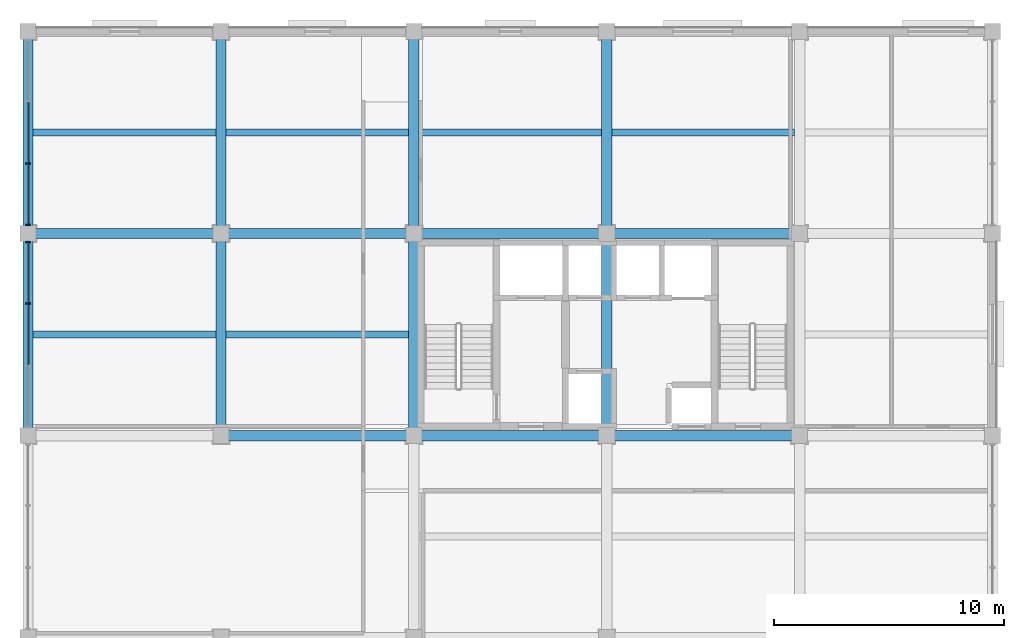
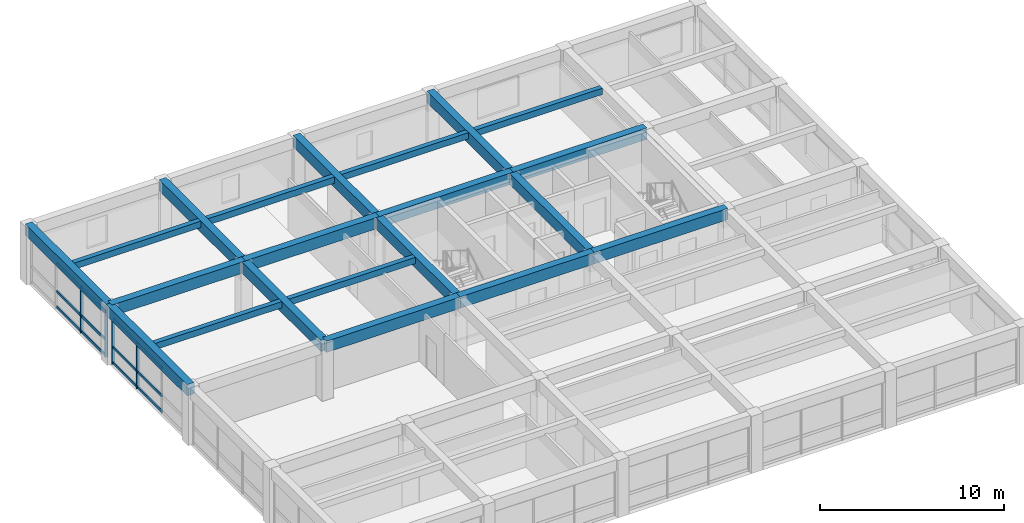
# One storey, part 4 of 13: 21 beams, 16 members, 2 elements without a shape of their own.
"""IFC4 building model written with IfcOpenShell, lengths in metres."""

from ifc_helpers import new_model, si_unit, direction, frame, origin, origin_2d, place, context, subcontext, project, spatial, rectangle, extrude, material, material_profile, profile_set, type_object, element, aggregate, save


model = new_model("IFC4")

# Units and contexts
model_context = context("Model", 3, precision=1e-05, world=origin(), true_north=direction((0.0, 1.0)))
body_context = subcontext(model_context, "Body", "Model", "MODEL_VIEW")
ifc_project = project(units=[si_unit("LENGTHUNIT", "METRE"), si_unit("AREAUNIT", "SQUARE_METRE"), si_unit("VOLUMEUNIT", "CUBIC_METRE"), si_unit("PLANEANGLEUNIT", "RADIAN"), si_unit("MASSUNIT", "GRAM", prefix="KILO")], contexts=[model_context])

# Site, building, storey
site_placement = place(None, origin())
site = spatial("IfcSite", under=ifc_project, at=site_placement, CompositionType="ELEMENT")
building_placement = place(site_placement, origin())
building = spatial("IfcBuilding", under=site, at=building_placement, Name="Kemercrest Conservatory and Botanical Centre", CompositionType="ELEMENT")
storey_placement = place(building_placement, frame((0.0, 0.0, 36.800048828125)))
storey = spatial("IfcBuildingStorey", under=building, at=storey_placement, Name="L09", CompositionType="ELEMENT", Elevation=36.800048828125)

# Beams
ifc_material_1 = material(Name="Concrete C40/50", Category="concrete")
ifc_material_profile_1 = material_profile(ifc_material_1, rectangle(XDim=0.449951171875, YDim=0.75, at=origin_2d()), Name="RC 450x750")
ifc_profile_set_1 = profile_set([ifc_material_profile_1], Name="Concrete C40/50")
beam_type_1 = type_object("IfcBeamType", Name="BM-RC75", PredefinedType="BEAM", material=ifc_profile_set_1)
beam_1_placement = place(storey_placement, frame((142.39990234375, 104.800048828125, 3.425048828125), z_axis=(1.0, 0.0, 0.0), x_axis=(0.0, 1.0, 0.0)))
element("IfcBeam", 1, at=beam_1_placement, inside=storey, type_object=beam_type_1, Name="V4-L10 beam BM-RC75 M/17-18", PredefinedType="BEAM", context=body_context, shape_type="SweptSolid", body=[
    extrude(rectangle(XDim=0.449951171875, YDim=0.75, at=origin_2d()), origin(), (0.0, 0.0, 1.0), 8.400146484375),
])
beam_2_placement = place(storey_placement, frame((150.800048828125, 104.800048828125, 3.425048828125), z_axis=(1.0, 0.0, 0.0), x_axis=(0.0, 1.0, 0.0)))
element("IfcBeam", 2, at=beam_2_placement, inside=storey, type_object=beam_type_1, Name="V4-L10 beam BM-RC75 M/18-19", PredefinedType="BEAM", context=body_context, shape_type="SweptSolid", body=[
    extrude(rectangle(XDim=0.449951171875, YDim=0.75, at=origin_2d()), origin(), (0.0, 0.0, 1.0), 8.39990234375),
])
beam_3_placement = place(storey_placement, frame((159.199951171875, 104.800048828125, 3.425048828125), z_axis=(1.0, 0.0, 0.0), x_axis=(0.0, 1.0, 0.0)))
element("IfcBeam", 3, at=beam_3_placement, inside=storey, type_object=beam_type_1, Name="V4-L10 beam BM-RC75 M/19-20", PredefinedType="BEAM", context=body_context, shape_type="SweptSolid", body=[
    extrude(rectangle(XDim=0.449951171875, YDim=0.75, at=origin_2d()), origin(), (0.0, 0.0, 1.0), 8.400146484375),
])
beam_4_placement = place(storey_placement, frame((134.0, 113.60009765625, 3.425048828125), z_axis=(1.0, 0.0, 0.0), x_axis=(0.0, 1.0, 0.0)))
element("IfcBeam", 4, at=beam_4_placement, inside=storey, type_object=beam_type_1, Name="V4-L10 beam BM-RC75 N/16-17", PredefinedType="BEAM", context=body_context, shape_type="SweptSolid", body=[
    extrude(rectangle(XDim=0.449951171875, YDim=0.75, at=origin_2d()), origin(), (0.0, 0.0, 1.0), 8.39990234375),
])
beam_5_placement = place(storey_placement, frame((142.39990234375, 113.60009765625, 3.425048828125), z_axis=(1.0, 0.0, 0.0), x_axis=(0.0, 1.0, 0.0)))
element("IfcBeam", 5, at=beam_5_placement, inside=storey, type_object=beam_type_1, Name="V4-L10 beam BM-RC75 N/17-18", PredefinedType="BEAM", context=body_context, shape_type="SweptSolid", body=[
    extrude(rectangle(XDim=0.449951171875, YDim=0.75, at=origin_2d()), origin(), (0.0, 0.0, 1.0), 8.400146484375),
])
beam_6_placement = place(storey_placement, frame((150.800048828125, 113.60009765625, 3.425048828125), z_axis=(1.0, 0.0, 0.0), x_axis=(0.0, 1.0, 0.0)))
element("IfcBeam", 6, at=beam_6_placement, inside=storey, type_object=beam_type_1, Name="V4-L10 beam BM-RC75 N/18-19", PredefinedType="BEAM", context=body_context, shape_type="SweptSolid", body=[
    extrude(rectangle(XDim=0.449951171875, YDim=0.75, at=origin_2d()), origin(), (0.0, 0.0, 1.0), 8.39990234375),
])
beam_7_placement = place(storey_placement, frame((159.199951171875, 113.60009765625, 3.425048828125), z_axis=(1.0, 0.0, 0.0), x_axis=(0.0, 1.0, 0.0)))
element("IfcBeam", 7, at=beam_7_placement, inside=storey, type_object=beam_type_1, Name="V4-L10 beam BM-RC75 N/19-20", PredefinedType="BEAM", context=body_context, shape_type="SweptSolid", body=[
    extrude(rectangle(XDim=0.449951171875, YDim=0.75, at=origin_2d()), origin(), (0.0, 0.0, 1.0), 8.400146484375),
])
beam_8_placement = place(storey_placement, frame((142.39990234375, 104.800048828125, 3.425048828125), z_axis=(0.0, 1.0, 0.0), x_axis=(-1.0, 0.0, 0.0)))
element("IfcBeam", 8, at=beam_8_placement, inside=storey, type_object=beam_type_1, Name="V4-L10 beam BM-RC75 17/M-N", PredefinedType="BEAM", context=body_context, shape_type="SweptSolid", body=[
    extrude(rectangle(XDim=0.449951171875, YDim=0.75, at=origin_2d()), origin(), (0.0, 0.0, 1.0), 8.800048828125),
])
beam_9_placement = place(storey_placement, frame((142.39990234375, 113.60009765625, 3.425048828125), z_axis=(0.0, 1.0, 0.0), x_axis=(-1.0, 0.0, 0.0)))
element("IfcBeam", 9, at=beam_9_placement, inside=storey, type_object=beam_type_1, Name="V4-L10 beam BM-RC75 17/N-P", PredefinedType="BEAM", context=body_context, shape_type="SweptSolid", body=[
    extrude(rectangle(XDim=0.449951171875, YDim=0.75, at=origin_2d()), origin(), (0.0, 0.0, 1.0), 8.7998046875),
])
beam_10_placement = place(storey_placement, frame((150.800048828125, 104.800048828125, 3.425048828125), z_axis=(0.0, 1.0, 0.0), x_axis=(-1.0, 0.0, 0.0)))
element("IfcBeam", 10, at=beam_10_placement, inside=storey, type_object=beam_type_1, Name="V4-L10 beam BM-RC75 18/M-N", PredefinedType="BEAM", context=body_context, shape_type="SweptSolid", body=[
    extrude(rectangle(XDim=0.449951171875, YDim=0.75, at=origin_2d()), origin(), (0.0, 0.0, 1.0), 8.800048828125),
])
beam_11_placement = place(storey_placement, frame((150.800048828125, 113.60009765625, 3.425048828125), z_axis=(0.0, 1.0, 0.0), x_axis=(-1.0, 0.0, 0.0)))
element("IfcBeam", 11, at=beam_11_placement, inside=storey, type_object=beam_type_1, Name="V4-L10 beam BM-RC75 18/N-P", PredefinedType="BEAM", context=body_context, shape_type="SweptSolid", body=[
    extrude(rectangle(XDim=0.449951171875, YDim=0.75, at=origin_2d()), origin(), (0.0, 0.0, 1.0), 8.7998046875),
])
beam_12_placement = place(storey_placement, frame((159.199951171875, 104.800048828125, 3.425048828125), z_axis=(0.0, 1.0, 0.0), x_axis=(-1.0, 0.0, 0.0)))
element("IfcBeam", 12, at=beam_12_placement, inside=storey, type_object=beam_type_1, Name="V4-L10 beam BM-RC75 19/M-N", PredefinedType="BEAM", context=body_context, shape_type="SweptSolid", body=[
    extrude(rectangle(XDim=0.449951171875, YDim=0.75, at=origin_2d()), origin(), (0.0, 0.0, 1.0), 8.800048828125),
])
beam_13_placement = place(storey_placement, frame((159.199951171875, 113.60009765625, 3.425048828125), z_axis=(0.0, 1.0, 0.0), x_axis=(-1.0, 0.0, 0.0)))
element("IfcBeam", 13, at=beam_13_placement, inside=storey, type_object=beam_type_1, Name="V4-L10 beam BM-RC75 19/N-P", PredefinedType="BEAM", context=body_context, shape_type="SweptSolid", body=[
    extrude(rectangle(XDim=0.449951171875, YDim=0.75, at=origin_2d()), origin(), (0.0, 0.0, 1.0), 8.7998046875),
])

# Curtain wall, members
ifc_material_2 = material(Name="Thermally broken aluminium and triple low-e glazing", Category="aluminium")
curtain_wall_type_1 = type_object("IfcCurtainWallType", Name="CW-18", PredefinedType="USERDEFINED", material=ifc_material_2)
curtain_wall_1_placement = place(storey_placement, origin())
curtain_wall_1 = element("IfcCurtainWall", 14, at=curtain_wall_1_placement, inside=storey, type_object=curtain_wall_type_1, Name="Unitised curtain wall CW-18 (CW:L09:V4-107)", ObjectType="UNITISED CURTAIN WALL", PredefinedType="USERDEFINED")
ifc_material_3 = material(Name="Thermally broken anodized aluminium 6063-T6", Category="aluminium")
ifc_material_profile_2 = material_profile(ifc_material_3, rectangle(XDim=0.199951171875, YDim=0.06494140625, at=origin_2d()), Name="AL MULLION 65x200")
ifc_profile_set_2 = profile_set([ifc_material_profile_2], Name="Thermally broken anodized aluminium 6063-T6")
member_type_1 = type_object("IfcMemberType", Name="CW-M200", PredefinedType="MULLION", material=ifc_profile_set_2)
member_1_placement = place(storey_placement, frame((134.0, 116.6484375, 0.0), z_axis=(0.0, 0.0, 1.0), x_axis=(1.0, 0.0, 0.0)))
member_1 = element("IfcMember", 15, at=member_1_placement, type_object=member_type_1, Name="CW-18 mullion 3", PredefinedType="MULLION", context=body_context, shape_type="SweptSolid", body=[
    extrude(rectangle(XDim=0.199951171875, YDim=0.06494140625, at=origin_2d()), origin(), (0.0, 0.0, 1.0), 3.054931640625),
])
member_2_placement = place(storey_placement, frame((134.0, 113.9775390625, 0.0), z_axis=(0.0, 0.0, 1.0), x_axis=(1.0, 0.0, 0.0)))
member_2 = element("IfcMember", 16, at=member_2_placement, type_object=member_type_1, Name="CW-18 mullion 4", PredefinedType="MULLION", context=body_context, shape_type="SweptSolid", body=[
    extrude(rectangle(XDim=0.199951171875, YDim=0.06494140625, at=origin_2d()), origin(), (0.0, 0.0, 1.0), 3.054931640625),
])

curtain_wall_type_2 = type_object("IfcCurtainWallType", Name="CW-19", PredefinedType="USERDEFINED", material=ifc_material_2)
curtain_wall_2_placement = place(storey_placement, origin())
curtain_wall_2 = element("IfcCurtainWall", 17, at=curtain_wall_2_placement, inside=storey, type_object=curtain_wall_type_2, Name="Unitised curtain wall CW-19 (CW:L09:V4-108)", ObjectType="UNITISED CURTAIN WALL", PredefinedType="USERDEFINED")
member_3_placement = place(storey_placement, frame((134.0, 113.222412109375, 0.0), z_axis=(0.0, 0.0, 1.0), x_axis=(1.0, 0.0, 0.0)))
member_3 = element("IfcMember", 18, at=member_3_placement, type_object=member_type_1, Name="CW-19 mullion 1", PredefinedType="MULLION", context=body_context, shape_type="SweptSolid", body=[
    extrude(rectangle(XDim=0.199951171875, YDim=0.06494140625, at=origin_2d()), origin(), (0.0, 0.0, 1.0), 3.054931640625),
])
member_4_placement = place(storey_placement, frame((134.0, 110.5517578125, 0.0), z_axis=(0.0, 0.0, 1.0), x_axis=(1.0, 0.0, 0.0)))
member_4 = element("IfcMember", 19, at=member_4_placement, type_object=member_type_1, Name="CW-19 mullion 2", PredefinedType="MULLION", context=body_context, shape_type="SweptSolid", body=[
    extrude(rectangle(XDim=0.199951171875, YDim=0.06494140625, at=origin_2d()), origin(), (0.0, 0.0, 1.0), 3.054931640625),
])

# Member
ifc_material_profile_3 = material_profile(ifc_material_3, rectangle(XDim=0.074951171875, YDim=0.179931640625, at=origin_2d()), Name="AL TRANSOM 75x180")
ifc_profile_set_3 = profile_set([ifc_material_profile_3], Name="Thermally broken anodized aluminium 6063-T6")
member_type_2 = type_object("IfcMemberType", Name="CW-T180", PredefinedType="USERDEFINED", material=ifc_profile_set_3)
member_5_placement = place(storey_placement, frame((134.0, 119.319091796875, 0.08984375), z_axis=(0.0, -1.0, 0.0), x_axis=(1.0, 0.0, 0.0)))
member_5 = element("IfcMember", 20, at=member_5_placement, type_object=member_type_2, Name="CW-18 transom 2.1", ObjectType="TRANSOM", PredefinedType="USERDEFINED", context=body_context, shape_type="SweptSolid", body=[
    extrude(rectangle(XDim=0.074951171875, YDim=0.179931640625, at=origin_2d()), origin(), (0.0, 0.0, 1.0), 2.63818359375),
])

member_6_placement = place(storey_placement, frame((134.0, 119.319091796875, 1.119873046875), z_axis=(0.0, -1.0, 0.0), x_axis=(1.0, 0.0, 0.0)))
member_6 = element("IfcMember", 21, at=member_6_placement, type_object=member_type_2, Name="CW-18 transom 2.2", ObjectType="TRANSOM", PredefinedType="USERDEFINED", context=body_context, shape_type="SweptSolid", body=[
    extrude(rectangle(XDim=0.074951171875, YDim=0.179931640625, at=origin_2d()), origin(), (0.0, 0.0, 1.0), 2.63818359375),
])

member_7_placement = place(storey_placement, frame((134.0, 119.319091796875, 2.96484375), z_axis=(0.0, -1.0, 0.0), x_axis=(1.0, 0.0, 0.0)))
member_7 = element("IfcMember", 22, at=member_7_placement, type_object=member_type_2, Name="CW-18 transom 2.3", ObjectType="TRANSOM", PredefinedType="USERDEFINED", context=body_context, shape_type="SweptSolid", body=[
    extrude(rectangle(XDim=0.074951171875, YDim=0.179931640625, at=origin_2d()), origin(), (0.0, 0.0, 1.0), 2.63818359375),
])

member_8_placement = place(storey_placement, frame((134.0, 116.61572265625, 0.08984375), z_axis=(0.0, -1.0, 0.0), x_axis=(1.0, 0.0, 0.0)))
member_8 = element("IfcMember", 23, at=member_8_placement, type_object=member_type_2, Name="CW-18 transom 3.1", ObjectType="TRANSOM", PredefinedType="USERDEFINED", context=body_context, shape_type="SweptSolid", body=[
    extrude(rectangle(XDim=0.074951171875, YDim=0.179931640625, at=origin_2d()), origin(), (0.0, 0.0, 1.0), 2.605712890625),
])

member_9_placement = place(storey_placement, frame((134.0, 116.61572265625, 1.119873046875), z_axis=(0.0, -1.0, 0.0), x_axis=(1.0, 0.0, 0.0)))
member_9 = element("IfcMember", 24, at=member_9_placement, type_object=member_type_2, Name="CW-18 transom 3.2", ObjectType="TRANSOM", PredefinedType="USERDEFINED", context=body_context, shape_type="SweptSolid", body=[
    extrude(rectangle(XDim=0.074951171875, YDim=0.179931640625, at=origin_2d()), origin(), (0.0, 0.0, 1.0), 2.605712890625),
])

member_10_placement = place(storey_placement, frame((134.0, 116.61572265625, 2.96484375), z_axis=(0.0, -1.0, 0.0), x_axis=(1.0, 0.0, 0.0)))
member_10 = element("IfcMember", 25, at=member_10_placement, type_object=member_type_2, Name="CW-18 transom 3.3", ObjectType="TRANSOM", PredefinedType="USERDEFINED", context=body_context, shape_type="SweptSolid", body=[
    extrude(rectangle(XDim=0.074951171875, YDim=0.179931640625, at=origin_2d()), origin(), (0.0, 0.0, 1.0), 2.605712890625),
])

aggregate(curtain_wall_1, [member_1, member_2, member_5, member_6, member_7, member_8, member_9, member_10])

member_11_placement = place(storey_placement, frame((134.0, 113.18994140625, 0.08984375), z_axis=(0.0, -1.0, 0.0), x_axis=(1.0, 0.0, 0.0)))
member_11 = element("IfcMember", 26, at=member_11_placement, type_object=member_type_2, Name="CW-19 transom 1.1", ObjectType="TRANSOM", PredefinedType="USERDEFINED", context=body_context, shape_type="SweptSolid", body=[
    extrude(rectangle(XDim=0.074951171875, YDim=0.179931640625, at=origin_2d()), origin(), (0.0, 0.0, 1.0), 2.605712890625),
])

member_12_placement = place(storey_placement, frame((134.0, 113.18994140625, 1.119873046875), z_axis=(0.0, -1.0, 0.0), x_axis=(1.0, 0.0, 0.0)))
member_12 = element("IfcMember", 27, at=member_12_placement, type_object=member_type_2, Name="CW-19 transom 1.2", ObjectType="TRANSOM", PredefinedType="USERDEFINED", context=body_context, shape_type="SweptSolid", body=[
    extrude(rectangle(XDim=0.074951171875, YDim=0.179931640625, at=origin_2d()), origin(), (0.0, 0.0, 1.0), 2.605712890625),
])

member_13_placement = place(storey_placement, frame((134.0, 113.18994140625, 2.96484375), z_axis=(0.0, -1.0, 0.0), x_axis=(1.0, 0.0, 0.0)))
member_13 = element("IfcMember", 28, at=member_13_placement, type_object=member_type_2, Name="CW-19 transom 1.3", ObjectType="TRANSOM", PredefinedType="USERDEFINED", context=body_context, shape_type="SweptSolid", body=[
    extrude(rectangle(XDim=0.074951171875, YDim=0.179931640625, at=origin_2d()), origin(), (0.0, 0.0, 1.0), 2.605712890625),
])

member_14_placement = place(storey_placement, frame((134.0, 110.519287109375, 0.08984375), z_axis=(0.0, -1.0, 0.0), x_axis=(1.0, 0.0, 0.0)))
member_14 = element("IfcMember", 29, at=member_14_placement, type_object=member_type_2, Name="CW-19 transom 2.1", ObjectType="TRANSOM", PredefinedType="USERDEFINED", context=body_context, shape_type="SweptSolid", body=[
    extrude(rectangle(XDim=0.074951171875, YDim=0.179931640625, at=origin_2d()), origin(), (0.0, 0.0, 1.0), 2.638427734375),
])

member_15_placement = place(storey_placement, frame((134.0, 110.519287109375, 1.119873046875), z_axis=(0.0, -1.0, 0.0), x_axis=(1.0, 0.0, 0.0)))
member_15 = element("IfcMember", 30, at=member_15_placement, type_object=member_type_2, Name="CW-19 transom 2.2", ObjectType="TRANSOM", PredefinedType="USERDEFINED", context=body_context, shape_type="SweptSolid", body=[
    extrude(rectangle(XDim=0.074951171875, YDim=0.179931640625, at=origin_2d()), origin(), (0.0, 0.0, 1.0), 2.638427734375),
])

member_16_placement = place(storey_placement, frame((134.0, 110.519287109375, 2.96484375), z_axis=(0.0, -1.0, 0.0), x_axis=(1.0, 0.0, 0.0)))
member_16 = element("IfcMember", 31, at=member_16_placement, type_object=member_type_2, Name="CW-19 transom 2.3", ObjectType="TRANSOM", PredefinedType="USERDEFINED", context=body_context, shape_type="SweptSolid", body=[
    extrude(rectangle(XDim=0.074951171875, YDim=0.179931640625, at=origin_2d()), origin(), (0.0, 0.0, 1.0), 2.638427734375),
])

aggregate(curtain_wall_2, [member_3, member_4, member_11, member_12, member_13, member_14, member_15, member_16])

# Beams
ifc_material_profile_4 = material_profile(ifc_material_1, rectangle(XDim=0.300048828125, YDim=0.419921875, at=origin_2d()), Name="RC 300x420")
ifc_profile_set_4 = profile_set([ifc_material_profile_4], Name="Concrete C40/50")
beam_type_2 = type_object("IfcBeamType", Name="JS-RC42", PredefinedType="JOIST", material=ifc_profile_set_4)
for number, where, z_axis, x_axis, name in (
    (32, (134.22509765625, 109.199951171875, 3.58984375), (1.0, 0.0, 0.0), (0.0, 1.0, 0.0), "V4-L10 secondary joist JS-RC42"),
    (33, (142.625, 109.199951171875, 3.58984375), (1.0, 0.0, 0.0), (0.0, 1.0, 0.0), "V4-L10 secondary joist JS-RC42"),
    (34, (134.22509765625, 118.0, 3.58984375), (1.0, 0.0, 0.0), (0.0, 1.0, 0.0), "V4-L10 secondary joist JS-RC42"),
    (35, (142.625, 118.0, 3.58984375), (1.0, 0.0, 0.0), (0.0, 1.0, 0.0), "V4-L10 secondary joist JS-RC42"),
):
    element("IfcBeam", number, at=place(storey_placement, frame(where, z_axis=z_axis, x_axis=x_axis)), inside=storey, type_object=beam_type_2, Name=name, PredefinedType="JOIST", context=body_context, shape_type="SweptSolid", body=[
        extrude(rectangle(XDim=0.300048828125, YDim=0.419921875, at=origin_2d()), origin(), (0.0, 0.0, 1.0), 7.949951171875),
    ])
beam_14_placement = place(storey_placement, frame((151.02490234375, 118.0, 3.58984375), z_axis=(1.0, 0.0, 0.0), x_axis=(0.0, 1.0, 0.0)))
element("IfcBeam", 36, at=beam_14_placement, inside=storey, type_object=beam_type_2, Name="V4-L10 secondary joist JS-RC42", PredefinedType="JOIST", context=body_context, shape_type="SweptSolid", body=[
    extrude(rectangle(XDim=0.300048828125, YDim=0.419921875, at=origin_2d()), origin(), (0.0, 0.0, 1.0), 7.9501953125),
])
beam_15_placement = place(storey_placement, frame((159.425048828125, 118.0, 3.58984375), z_axis=(1.0, 0.0, 0.0), x_axis=(0.0, 1.0, 0.0)))
element("IfcBeam", 37, at=beam_15_placement, inside=storey, type_object=beam_type_2, Name="V4-L10 secondary joist JS-RC42", PredefinedType="JOIST", context=body_context, shape_type="SweptSolid", body=[
    extrude(rectangle(XDim=0.300048828125, YDim=0.419921875, at=origin_2d()), origin(), (0.0, 0.0, 1.0), 7.949951171875),
])
ifc_material_profile_5 = material_profile(ifc_material_1, rectangle(XDim=0.449951171875, YDim=0.75, at=origin_2d()), Name="RC 450x750")
ifc_profile_set_5 = profile_set([ifc_material_profile_5], Name="Concrete C40/50")
beam_type_3 = type_object("IfcBeamType", Name="SP-RC75", PredefinedType="SPANDREL", material=ifc_profile_set_5)
beam_16_placement = place(storey_placement, frame((134.0, 104.800048828125, 3.425048828125), z_axis=(0.0, 1.0, 0.0), x_axis=(-1.0, 0.0, 0.0)))
element("IfcBeam", 38, at=beam_16_placement, inside=storey, type_object=beam_type_3, Name="V4-L10 beam SP-RC75 16/M-N", PredefinedType="SPANDREL", context=body_context, shape_type="SweptSolid", body=[
    extrude(rectangle(XDim=0.449951171875, YDim=0.75, at=origin_2d()), origin(), (0.0, 0.0, 1.0), 8.800048828125),
])
beam_17_placement = place(storey_placement, frame((134.0, 113.60009765625, 3.425048828125), z_axis=(0.0, 1.0, 0.0), x_axis=(-1.0, 0.0, 0.0)))
element("IfcBeam", 39, at=beam_17_placement, inside=storey, type_object=beam_type_3, Name="V4-L10 beam SP-RC75 16/N-P", PredefinedType="SPANDREL", context=body_context, shape_type="SweptSolid", body=[
    extrude(rectangle(XDim=0.449951171875, YDim=0.75, at=origin_2d()), origin(), (0.0, 0.0, 1.0), 8.7998046875),
])

save(model, "model.ifc")
